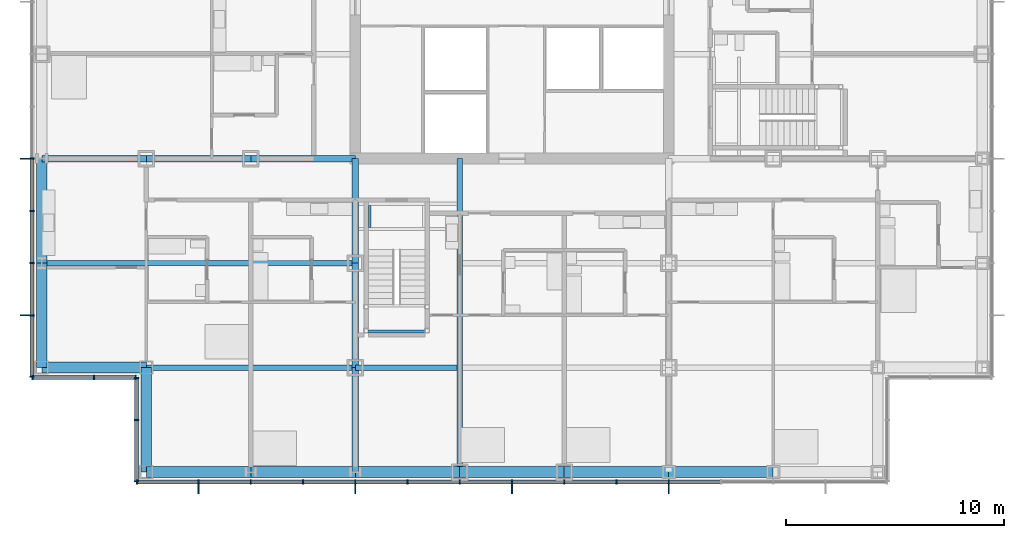
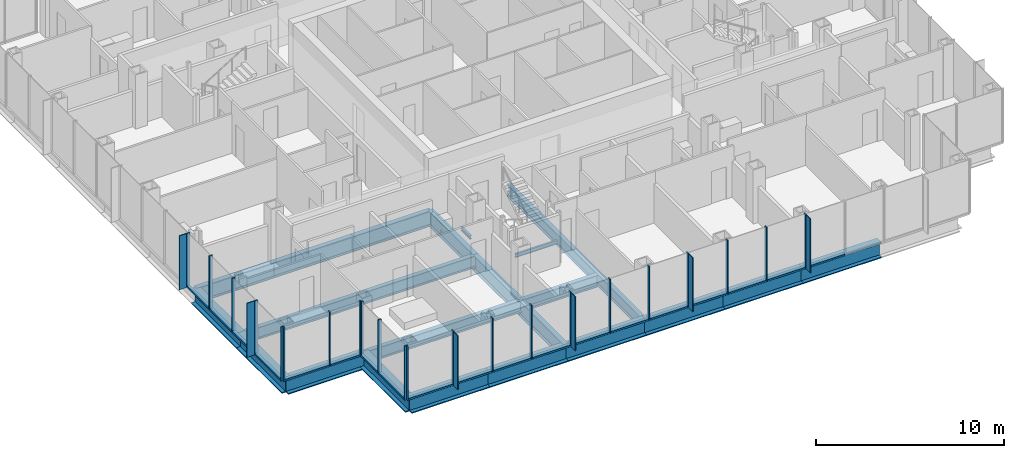
# One storey, part 6 of 21: 47 members, 22 beams, 4 elements without a shape of their own.
"""IFC4 building model written with IfcOpenShell, lengths in metres."""

from ifc_helpers import new_model, si_unit, direction, frame, origin, origin_2d, place, context, subcontext, project, spatial, rectangle, i_section, extrude, material, material_profile, profile_set, type_object, element, aggregate, save


model = new_model("IFC4")

# Units and contexts
model_context = context("Model", 3, precision=1e-05, world=origin(), true_north=direction((0.0, 1.0)))
body_context = subcontext(model_context, "Body", "Model", "MODEL_VIEW")
ifc_project = project(units=[si_unit("LENGTHUNIT", "METRE"), si_unit("AREAUNIT", "SQUARE_METRE"), si_unit("VOLUMEUNIT", "CUBIC_METRE"), si_unit("PLANEANGLEUNIT", "RADIAN"), si_unit("MASSUNIT", "GRAM", prefix="KILO")], contexts=[model_context])

# Site, building, storey
site_placement = place(None, origin())
site = spatial("IfcSite", under=ifc_project, at=site_placement, CompositionType="ELEMENT")
building_placement = place(site_placement, origin())
building = spatial("IfcBuilding", under=site, at=building_placement, Name="Kvirike Care Tower", CompositionType="ELEMENT")
storey_placement = place(building_placement, frame((0.0, 0.0, 37.5)))
storey = spatial("IfcBuildingStorey", under=building, at=storey_placement, Name="L09", CompositionType="ELEMENT", Elevation=37.5)

# Curtain wall, members
ifc_material_1 = material(Name="Anodised aluminium stick system", Category="aluminium")
curtain_wall_type = type_object("IfcCurtainWallType", Name="CW-A STICK CURTAIN WALL", PredefinedType="NOTDEFINED", material=ifc_material_1)
curtain_wall_1_placement = place(storey_placement, origin())
curtain_wall_1 = element("IfcCurtainWall", 1, at=curtain_wall_1_placement, inside=storey, type_object=curtain_wall_type, Name="Curtain wall L09 face 1", PredefinedType="NOTDEFINED")
ifc_material_2 = material(Name="Bronze anodised aluminium fin", Category="aluminium")
ifc_material_profile_1 = material_profile(ifc_material_2, rectangle(XDim=0.050048828125, YDim=0.449951171875, at=origin_2d()), Name="BRONZE FIN 450")
ifc_profile_set_1 = profile_set([ifc_material_profile_1], Name="Bronze anodised aluminium fin")
member_type_1 = type_object("IfcMemberType", Name="BRONZE FIN 450", PredefinedType="USERDEFINED", material=ifc_profile_set_1)
member_1_placement = place(storey_placement, frame((-0.77490234375, 28.800048828125, 0.0), z_axis=(0.0, 0.0, 1.0), x_axis=(0.0, -1.0, 0.0)))
member_1 = element("IfcMember", 2, at=member_1_placement, type_object=member_type_1, Name="Bronze fin L09 face 1.11", ObjectType="FIN", PredefinedType="USERDEFINED", context=body_context, shape_type="SweptSolid", body=[
    extrude(rectangle(XDim=0.050048828125, YDim=0.449951171875, at=origin_2d()), origin(), (0.0, 0.0, 1.0), 3.5),
])
member_2_placement = place(storey_placement, frame((-0.77490234375, 21.60009765625, 0.0), z_axis=(0.0, 0.0, 1.0), x_axis=(0.0, -1.0, 0.0)))
member_2 = element("IfcMember", 3, at=member_2_placement, type_object=member_type_1, Name="Bronze fin L09 face 1.14", ObjectType="FIN", PredefinedType="USERDEFINED", context=body_context, shape_type="SweptSolid", body=[
    extrude(rectangle(XDim=0.050048828125, YDim=0.449951171875, at=origin_2d()), origin(), (0.0, 0.0, 1.0), 3.5),
])

curtain_wall_2_placement = place(storey_placement, origin())
curtain_wall_2 = element("IfcCurtainWall", 4, at=curtain_wall_2_placement, inside=storey, type_object=curtain_wall_type, Name="Curtain wall L09 face 4", PredefinedType="NOTDEFINED")
member_3_placement = place(storey_placement, frame((7.199951171875, 13.625, 0.0), z_axis=(0.0, 0.0, 1.0), x_axis=(1.0, 0.0, 0.0)))
member_3 = element("IfcMember", 5, at=member_3_placement, type_object=member_type_1, Name="Bronze fin L09 face 4.2", ObjectType="FIN", PredefinedType="USERDEFINED", context=body_context, shape_type="SweptSolid", body=[
    extrude(rectangle(XDim=0.050048828125, YDim=0.449951171875, at=origin_2d()), origin(), (0.0, 0.0, 1.0), 3.5),
])
member_4_placement = place(storey_placement, frame((14.39990234375, 13.625, 0.0), z_axis=(0.0, 0.0, 1.0), x_axis=(1.0, 0.0, 0.0)))
member_4 = element("IfcMember", 6, at=member_4_placement, type_object=member_type_1, Name="Bronze fin L09 face 4.5", ObjectType="FIN", PredefinedType="USERDEFINED", context=body_context, shape_type="SweptSolid", body=[
    extrude(rectangle(XDim=0.050048828125, YDim=0.449951171875, at=origin_2d()), origin(), (0.0, 0.0, 1.0), 3.5),
])
member_5_placement = place(storey_placement, frame((21.60009765625, 13.625, 0.0), z_axis=(0.0, 0.0, 1.0), x_axis=(1.0, 0.0, 0.0)))
member_5 = element("IfcMember", 7, at=member_5_placement, type_object=member_type_1, Name="Bronze fin L09 face 4.8", ObjectType="FIN", PredefinedType="USERDEFINED", context=body_context, shape_type="SweptSolid", body=[
    extrude(rectangle(XDim=0.050048828125, YDim=0.449951171875, at=origin_2d()), origin(), (0.0, 0.0, 1.0), 3.5),
])
member_6_placement = place(storey_placement, frame((28.800048828125, 13.625, 0.0), z_axis=(0.0, 0.0, 1.0), x_axis=(1.0, 0.0, 0.0)))
member_6 = element("IfcMember", 8, at=member_6_placement, type_object=member_type_1, Name="Bronze fin L09 face 4.11", ObjectType="FIN", PredefinedType="USERDEFINED", context=body_context, shape_type="SweptSolid", body=[
    extrude(rectangle(XDim=0.050048828125, YDim=0.449951171875, at=origin_2d()), origin(), (0.0, 0.0, 1.0), 3.5),
])

# Member
ifc_material_3 = material(Name="Bronze anodised aluminium mullion", Category="aluminium")
ifc_material_profile_2 = material_profile(ifc_material_3, rectangle(XDim=0.06494140625, YDim=0.199951171875, at=origin_2d()), Name="CW-A MULLION 65x200")
ifc_profile_set_2 = profile_set([ifc_material_profile_2], Name="Bronze anodised aluminium mullion")
member_type_2 = type_object("IfcMemberType", Name="CW-A MULLION 65x200", PredefinedType="MULLION", material=ifc_profile_set_2)
member_7_placement = place(storey_placement, frame((-0.449951171875, 28.800048828125, 0.0), z_axis=(0.0, 0.0, 1.0), x_axis=(0.0, -1.0, 0.0)))
member_7 = element("IfcMember", 9, at=member_7_placement, type_object=member_type_2, Name="CW-A mullion L09 face 1.11", PredefinedType="MULLION", context=body_context, shape_type="SweptSolid", body=[
    extrude(rectangle(XDim=0.06494140625, YDim=0.199951171875, at=origin_2d()), origin(), (0.0, 0.0, 1.0), 3.5),
])

member_8_placement = place(storey_placement, frame((-0.449951171875, 26.39990234375, 0.0), z_axis=(0.0, 0.0, 1.0), x_axis=(0.0, -1.0, 0.0)))
member_8 = element("IfcMember", 10, at=member_8_placement, type_object=member_type_2, Name="CW-A mullion L09 face 1.12", PredefinedType="MULLION", context=body_context, shape_type="SweptSolid", body=[
    extrude(rectangle(XDim=0.06494140625, YDim=0.199951171875, at=origin_2d()), origin(), (0.0, 0.0, 1.0), 3.5),
])

member_9_placement = place(storey_placement, frame((-0.449951171875, 24.0, 0.0), z_axis=(0.0, 0.0, 1.0), x_axis=(0.0, -1.0, 0.0)))
member_9 = element("IfcMember", 11, at=member_9_placement, type_object=member_type_2, Name="CW-A mullion L09 face 1.13", PredefinedType="MULLION", context=body_context, shape_type="SweptSolid", body=[
    extrude(rectangle(XDim=0.06494140625, YDim=0.199951171875, at=origin_2d()), origin(), (0.0, 0.0, 1.0), 3.5),
])

member_10_placement = place(storey_placement, frame((-0.449951171875, 21.60009765625, 0.0), z_axis=(0.0, 0.0, 1.0), x_axis=(0.0, -1.0, 0.0)))
member_10 = element("IfcMember", 12, at=member_10_placement, type_object=member_type_2, Name="CW-A mullion L09 face 1.14", PredefinedType="MULLION", context=body_context, shape_type="SweptSolid", body=[
    extrude(rectangle(XDim=0.06494140625, YDim=0.199951171875, at=origin_2d()), origin(), (0.0, 0.0, 1.0), 3.5),
])

member_11_placement = place(storey_placement, frame((-0.449951171875, 18.782470703125, 0.0), z_axis=(0.0, 0.0, 1.0), x_axis=(0.0, -1.0, 0.0)))
member_11 = element("IfcMember", 13, at=member_11_placement, type_object=member_type_2, Name="CW-A mullion L09 face 1.15", PredefinedType="MULLION", context=body_context, shape_type="SweptSolid", body=[
    extrude(rectangle(XDim=0.06494140625, YDim=0.199951171875, at=origin_2d()), origin(), (0.0, 0.0, 1.0), 3.5),
])

# Curtain wall, members
curtain_wall_3_placement = place(storey_placement, origin())
curtain_wall_3 = element("IfcCurtainWall", 14, at=curtain_wall_3_placement, inside=storey, type_object=curtain_wall_type, Name="Curtain wall L09 face 2", PredefinedType="NOTDEFINED")
member_12_placement = place(storey_placement, frame((-0.41748046875, 18.75, 0.0), z_axis=(0.0, 0.0, 1.0), x_axis=(1.0, 0.0, 0.0)))
member_12 = element("IfcMember", 15, at=member_12_placement, type_object=member_type_2, Name="CW-A mullion L09 face 2.1", PredefinedType="MULLION", context=body_context, shape_type="SweptSolid", body=[
    extrude(rectangle(XDim=0.06494140625, YDim=0.199951171875, at=origin_2d()), origin(), (0.0, 0.0, 1.0), 3.5),
])
member_13_placement = place(storey_placement, frame((2.39990234375, 18.75, 0.0), z_axis=(0.0, 0.0, 1.0), x_axis=(1.0, 0.0, 0.0)))
member_13 = element("IfcMember", 16, at=member_13_placement, type_object=member_type_2, Name="CW-A mullion L09 face 2.2", PredefinedType="MULLION", context=body_context, shape_type="SweptSolid", body=[
    extrude(rectangle(XDim=0.06494140625, YDim=0.199951171875, at=origin_2d()), origin(), (0.0, 0.0, 1.0), 3.5),
])
member_14_placement = place(storey_placement, frame((4.3173828125, 18.75, 0.0), z_axis=(0.0, 0.0, 1.0), x_axis=(1.0, 0.0, 0.0)))
member_14 = element("IfcMember", 17, at=member_14_placement, type_object=member_type_2, Name="CW-A mullion L09 face 2.3", PredefinedType="MULLION", context=body_context, shape_type="SweptSolid", body=[
    extrude(rectangle(XDim=0.06494140625, YDim=0.199951171875, at=origin_2d()), origin(), (0.0, 0.0, 1.0), 3.5),
])

curtain_wall_4_placement = place(storey_placement, origin())
curtain_wall_4 = element("IfcCurtainWall", 18, at=curtain_wall_4_placement, inside=storey, type_object=curtain_wall_type, Name="Curtain wall L09 face 3", PredefinedType="NOTDEFINED")
member_15_placement = place(storey_placement, frame((4.35009765625, 18.717529296875, 0.0), z_axis=(0.0, 0.0, 1.0), x_axis=(0.0, -1.0, 0.0)))
member_15 = element("IfcMember", 19, at=member_15_placement, type_object=member_type_2, Name="CW-A mullion L09 face 3.1", PredefinedType="MULLION", context=body_context, shape_type="SweptSolid", body=[
    extrude(rectangle(XDim=0.06494140625, YDim=0.199951171875, at=origin_2d()), origin(), (0.0, 0.0, 1.0), 3.5),
])
member_16_placement = place(storey_placement, frame((4.35009765625, 16.800048828125, 0.0), z_axis=(0.0, 0.0, 1.0), x_axis=(0.0, -1.0, 0.0)))
member_16 = element("IfcMember", 20, at=member_16_placement, type_object=member_type_2, Name="CW-A mullion L09 face 3.2", PredefinedType="MULLION", context=body_context, shape_type="SweptSolid", body=[
    extrude(rectangle(XDim=0.06494140625, YDim=0.199951171875, at=origin_2d()), origin(), (0.0, 0.0, 1.0), 3.5),
])
member_17_placement = place(storey_placement, frame((4.35009765625, 13.982421875, 0.0), z_axis=(0.0, 0.0, 1.0), x_axis=(0.0, -1.0, 0.0)))
member_17 = element("IfcMember", 21, at=member_17_placement, type_object=member_type_2, Name="CW-A mullion L09 face 3.3", PredefinedType="MULLION", context=body_context, shape_type="SweptSolid", body=[
    extrude(rectangle(XDim=0.06494140625, YDim=0.199951171875, at=origin_2d()), origin(), (0.0, 0.0, 1.0), 3.5),
])

# Member
member_18_placement = place(storey_placement, frame((4.382568359375, 13.949951171875, 0.0), z_axis=(0.0, 0.0, 1.0), x_axis=(1.0, 0.0, 0.0)))
member_18 = element("IfcMember", 22, at=member_18_placement, type_object=member_type_2, Name="CW-A mullion L09 face 4.1", PredefinedType="MULLION", context=body_context, shape_type="SweptSolid", body=[
    extrude(rectangle(XDim=0.06494140625, YDim=0.199951171875, at=origin_2d()), origin(), (0.0, 0.0, 1.0), 3.5),
])

member_19_placement = place(storey_placement, frame((7.199951171875, 13.949951171875, 0.0), z_axis=(0.0, 0.0, 1.0), x_axis=(1.0, 0.0, 0.0)))
member_19 = element("IfcMember", 23, at=member_19_placement, type_object=member_type_2, Name="CW-A mullion L09 face 4.2", PredefinedType="MULLION", context=body_context, shape_type="SweptSolid", body=[
    extrude(rectangle(XDim=0.06494140625, YDim=0.199951171875, at=origin_2d()), origin(), (0.0, 0.0, 1.0), 3.5),
])

member_20_placement = place(storey_placement, frame((9.60009765625, 13.949951171875, 0.0), z_axis=(0.0, 0.0, 1.0), x_axis=(1.0, 0.0, 0.0)))
member_20 = element("IfcMember", 24, at=member_20_placement, type_object=member_type_2, Name="CW-A mullion L09 face 4.3", PredefinedType="MULLION", context=body_context, shape_type="SweptSolid", body=[
    extrude(rectangle(XDim=0.06494140625, YDim=0.199951171875, at=origin_2d()), origin(), (0.0, 0.0, 1.0), 3.5),
])

member_21_placement = place(storey_placement, frame((12.0, 13.949951171875, 0.0), z_axis=(0.0, 0.0, 1.0), x_axis=(1.0, 0.0, 0.0)))
member_21 = element("IfcMember", 25, at=member_21_placement, type_object=member_type_2, Name="CW-A mullion L09 face 4.4", PredefinedType="MULLION", context=body_context, shape_type="SweptSolid", body=[
    extrude(rectangle(XDim=0.06494140625, YDim=0.199951171875, at=origin_2d()), origin(), (0.0, 0.0, 1.0), 3.5),
])

member_22_placement = place(storey_placement, frame((14.39990234375, 13.949951171875, 0.0), z_axis=(0.0, 0.0, 1.0), x_axis=(1.0, 0.0, 0.0)))
member_22 = element("IfcMember", 26, at=member_22_placement, type_object=member_type_2, Name="CW-A mullion L09 face 4.5", PredefinedType="MULLION", context=body_context, shape_type="SweptSolid", body=[
    extrude(rectangle(XDim=0.06494140625, YDim=0.199951171875, at=origin_2d()), origin(), (0.0, 0.0, 1.0), 3.5),
])

member_23_placement = place(storey_placement, frame((16.800048828125, 13.949951171875, 0.0), z_axis=(0.0, 0.0, 1.0), x_axis=(1.0, 0.0, 0.0)))
member_23 = element("IfcMember", 27, at=member_23_placement, type_object=member_type_2, Name="CW-A mullion L09 face 4.6", PredefinedType="MULLION", context=body_context, shape_type="SweptSolid", body=[
    extrude(rectangle(XDim=0.06494140625, YDim=0.199951171875, at=origin_2d()), origin(), (0.0, 0.0, 1.0), 3.5),
])

member_24_placement = place(storey_placement, frame((19.199951171875, 13.949951171875, 0.0), z_axis=(0.0, 0.0, 1.0), x_axis=(1.0, 0.0, 0.0)))
member_24 = element("IfcMember", 28, at=member_24_placement, type_object=member_type_2, Name="CW-A mullion L09 face 4.7", PredefinedType="MULLION", context=body_context, shape_type="SweptSolid", body=[
    extrude(rectangle(XDim=0.06494140625, YDim=0.199951171875, at=origin_2d()), origin(), (0.0, 0.0, 1.0), 3.5),
])

member_25_placement = place(storey_placement, frame((21.60009765625, 13.949951171875, 0.0), z_axis=(0.0, 0.0, 1.0), x_axis=(1.0, 0.0, 0.0)))
member_25 = element("IfcMember", 29, at=member_25_placement, type_object=member_type_2, Name="CW-A mullion L09 face 4.8", PredefinedType="MULLION", context=body_context, shape_type="SweptSolid", body=[
    extrude(rectangle(XDim=0.06494140625, YDim=0.199951171875, at=origin_2d()), origin(), (0.0, 0.0, 1.0), 3.5),
])

member_26_placement = place(storey_placement, frame((24.0, 13.949951171875, 0.0), z_axis=(0.0, 0.0, 1.0), x_axis=(1.0, 0.0, 0.0)))
member_26 = element("IfcMember", 30, at=member_26_placement, type_object=member_type_2, Name="CW-A mullion L09 face 4.9", PredefinedType="MULLION", context=body_context, shape_type="SweptSolid", body=[
    extrude(rectangle(XDim=0.06494140625, YDim=0.199951171875, at=origin_2d()), origin(), (0.0, 0.0, 1.0), 3.5),
])

member_27_placement = place(storey_placement, frame((26.39990234375, 13.949951171875, 0.0), z_axis=(0.0, 0.0, 1.0), x_axis=(1.0, 0.0, 0.0)))
member_27 = element("IfcMember", 31, at=member_27_placement, type_object=member_type_2, Name="CW-A mullion L09 face 4.10", PredefinedType="MULLION", context=body_context, shape_type="SweptSolid", body=[
    extrude(rectangle(XDim=0.06494140625, YDim=0.199951171875, at=origin_2d()), origin(), (0.0, 0.0, 1.0), 3.5),
])

member_28_placement = place(storey_placement, frame((28.800048828125, 13.949951171875, 0.0), z_axis=(0.0, 0.0, 1.0), x_axis=(1.0, 0.0, 0.0)))
member_28 = element("IfcMember", 32, at=member_28_placement, type_object=member_type_2, Name="CW-A mullion L09 face 4.11", PredefinedType="MULLION", context=body_context, shape_type="SweptSolid", body=[
    extrude(rectangle(XDim=0.06494140625, YDim=0.199951171875, at=origin_2d()), origin(), (0.0, 0.0, 1.0), 3.5),
])

ifc_material_4 = material(Name="Bronze anodised aluminium transom", Category="aluminium")
ifc_material_profile_3 = material_profile(ifc_material_4, rectangle(XDim=0.199951171875, YDim=0.10009765625, at=origin_2d()), Name="CW-A TRANSOM 200x100")
ifc_profile_set_3 = profile_set([ifc_material_profile_3], Name="Bronze anodised aluminium transom")
member_type_3 = type_object("IfcMemberType", Name="CW-A TRANSOM 200x100", PredefinedType="USERDEFINED", material=ifc_profile_set_3)
member_29_placement = place(storey_placement, frame((-0.449951171875, 28.767578125, 0.050048828125), z_axis=(0.0, -1.0, 0.0), x_axis=(1.0, 0.0, 0.0)))
member_29 = element("IfcMember", 33, at=member_29_placement, type_object=member_type_3, Name="CW-A sill transom L09 face 1.11", ObjectType="TRANSOM", PredefinedType="USERDEFINED", context=body_context, shape_type="SweptSolid", body=[
    extrude(rectangle(XDim=0.199951171875, YDim=0.10009765625, at=origin_2d()), origin(), (0.0, 0.0, 1.0), 2.3349609375),
])

member_30_placement = place(storey_placement, frame((-0.449951171875, 26.367431640625, 0.050048828125), z_axis=(0.0, -1.0, 0.0), x_axis=(1.0, 0.0, 0.0)))
member_30 = element("IfcMember", 34, at=member_30_placement, type_object=member_type_3, Name="CW-A sill transom L09 face 1.12", ObjectType="TRANSOM", PredefinedType="USERDEFINED", context=body_context, shape_type="SweptSolid", body=[
    extrude(rectangle(XDim=0.199951171875, YDim=0.10009765625, at=origin_2d()), origin(), (0.0, 0.0, 1.0), 2.3349609375),
])

member_31_placement = place(storey_placement, frame((-0.449951171875, 23.967529296875, 0.050048828125), z_axis=(0.0, -1.0, 0.0), x_axis=(1.0, 0.0, 0.0)))
member_31 = element("IfcMember", 35, at=member_31_placement, type_object=member_type_3, Name="CW-A sill transom L09 face 1.13", ObjectType="TRANSOM", PredefinedType="USERDEFINED", context=body_context, shape_type="SweptSolid", body=[
    extrude(rectangle(XDim=0.199951171875, YDim=0.10009765625, at=origin_2d()), origin(), (0.0, 0.0, 1.0), 2.3349609375),
])

member_32_placement = place(storey_placement, frame((-0.449951171875, 21.5673828125, 0.050048828125), z_axis=(0.0, -1.0, 0.0), x_axis=(1.0, 0.0, 0.0)))
member_32 = element("IfcMember", 36, at=member_32_placement, type_object=member_type_3, Name="CW-A sill transom L09 face 1.14", ObjectType="TRANSOM", PredefinedType="USERDEFINED", context=body_context, shape_type="SweptSolid", body=[
    extrude(rectangle(XDim=0.199951171875, YDim=0.10009765625, at=origin_2d()), origin(), (0.0, 0.0, 1.0), 2.75244140625),
])

aggregate(curtain_wall_1, [member_7, member_1, member_8, member_9, member_10, member_2, member_11, member_29, member_30, member_31, member_32])

member_33_placement = place(storey_placement, frame((-0.385009765625, 18.75, 0.050048828125), z_axis=(1.0, 0.0, 0.0), x_axis=(0.0, 1.0, 0.0)))
member_33 = element("IfcMember", 37, at=member_33_placement, type_object=member_type_3, Name="CW-A sill transom L09 face 2.1", ObjectType="TRANSOM", PredefinedType="USERDEFINED", context=body_context, shape_type="SweptSolid", body=[
    extrude(rectangle(XDim=0.199951171875, YDim=0.10009765625, at=origin_2d()), origin(), (0.0, 0.0, 1.0), 2.75244140625),
])

member_34_placement = place(storey_placement, frame((2.4326171875, 18.75, 0.050048828125), z_axis=(1.0, 0.0, 0.0), x_axis=(0.0, 1.0, 0.0)))
member_34 = element("IfcMember", 38, at=member_34_placement, type_object=member_type_3, Name="CW-A sill transom L09 face 2.2", ObjectType="TRANSOM", PredefinedType="USERDEFINED", context=body_context, shape_type="SweptSolid", body=[
    extrude(rectangle(XDim=0.199951171875, YDim=0.10009765625, at=origin_2d()), origin(), (0.0, 0.0, 1.0), 1.852294921875),
])

aggregate(curtain_wall_3, [member_12, member_13, member_14, member_33, member_34])

member_35_placement = place(storey_placement, frame((4.35009765625, 18.68505859375, 0.050048828125), z_axis=(0.0, -1.0, 0.0), x_axis=(1.0, 0.0, 0.0)))
member_35 = element("IfcMember", 39, at=member_35_placement, type_object=member_type_3, Name="CW-A sill transom L09 face 3.1", ObjectType="TRANSOM", PredefinedType="USERDEFINED", context=body_context, shape_type="SweptSolid", body=[
    extrude(rectangle(XDim=0.199951171875, YDim=0.10009765625, at=origin_2d()), origin(), (0.0, 0.0, 1.0), 1.8525390625),
])

member_36_placement = place(storey_placement, frame((4.35009765625, 16.767578125, 0.050048828125), z_axis=(0.0, -1.0, 0.0), x_axis=(1.0, 0.0, 0.0)))
member_36 = element("IfcMember", 40, at=member_36_placement, type_object=member_type_3, Name="CW-A sill transom L09 face 3.2", ObjectType="TRANSOM", PredefinedType="USERDEFINED", context=body_context, shape_type="SweptSolid", body=[
    extrude(rectangle(XDim=0.199951171875, YDim=0.10009765625, at=origin_2d()), origin(), (0.0, 0.0, 1.0), 2.752685546875),
])

aggregate(curtain_wall_4, [member_15, member_16, member_17, member_35, member_36])

member_37_placement = place(storey_placement, frame((4.4150390625, 13.949951171875, 0.050048828125), z_axis=(1.0, 0.0, 0.0), x_axis=(0.0, 1.0, 0.0)))
member_37 = element("IfcMember", 41, at=member_37_placement, type_object=member_type_3, Name="CW-A sill transom L09 face 4.1", ObjectType="TRANSOM", PredefinedType="USERDEFINED", context=body_context, shape_type="SweptSolid", body=[
    extrude(rectangle(XDim=0.199951171875, YDim=0.10009765625, at=origin_2d()), origin(), (0.0, 0.0, 1.0), 2.75244140625),
])

member_38_placement = place(storey_placement, frame((7.232421875, 13.949951171875, 0.050048828125), z_axis=(1.0, 0.0, 0.0), x_axis=(0.0, 1.0, 0.0)))
member_38 = element("IfcMember", 42, at=member_38_placement, type_object=member_type_3, Name="CW-A sill transom L09 face 4.2", ObjectType="TRANSOM", PredefinedType="USERDEFINED", context=body_context, shape_type="SweptSolid", body=[
    extrude(rectangle(XDim=0.199951171875, YDim=0.10009765625, at=origin_2d()), origin(), (0.0, 0.0, 1.0), 2.3349609375),
])

member_39_placement = place(storey_placement, frame((9.632568359375, 13.949951171875, 0.050048828125), z_axis=(1.0, 0.0, 0.0), x_axis=(0.0, 1.0, 0.0)))
member_39 = element("IfcMember", 43, at=member_39_placement, type_object=member_type_3, Name="CW-A sill transom L09 face 4.3", ObjectType="TRANSOM", PredefinedType="USERDEFINED", context=body_context, shape_type="SweptSolid", body=[
    extrude(rectangle(XDim=0.199951171875, YDim=0.10009765625, at=origin_2d()), origin(), (0.0, 0.0, 1.0), 2.3349609375),
])

member_40_placement = place(storey_placement, frame((12.032470703125, 13.949951171875, 0.050048828125), z_axis=(1.0, 0.0, 0.0), x_axis=(0.0, 1.0, 0.0)))
member_40 = element("IfcMember", 44, at=member_40_placement, type_object=member_type_3, Name="CW-A sill transom L09 face 4.4", ObjectType="TRANSOM", PredefinedType="USERDEFINED", context=body_context, shape_type="SweptSolid", body=[
    extrude(rectangle(XDim=0.199951171875, YDim=0.10009765625, at=origin_2d()), origin(), (0.0, 0.0, 1.0), 2.3349609375),
])

member_41_placement = place(storey_placement, frame((14.4326171875, 13.949951171875, 0.050048828125), z_axis=(1.0, 0.0, 0.0), x_axis=(0.0, 1.0, 0.0)))
member_41 = element("IfcMember", 45, at=member_41_placement, type_object=member_type_3, Name="CW-A sill transom L09 face 4.5", ObjectType="TRANSOM", PredefinedType="USERDEFINED", context=body_context, shape_type="SweptSolid", body=[
    extrude(rectangle(XDim=0.199951171875, YDim=0.10009765625, at=origin_2d()), origin(), (0.0, 0.0, 1.0), 2.3349609375),
])

member_42_placement = place(storey_placement, frame((16.83251953125, 13.949951171875, 0.050048828125), z_axis=(1.0, 0.0, 0.0), x_axis=(0.0, 1.0, 0.0)))
member_42 = element("IfcMember", 46, at=member_42_placement, type_object=member_type_3, Name="CW-A sill transom L09 face 4.6", ObjectType="TRANSOM", PredefinedType="USERDEFINED", context=body_context, shape_type="SweptSolid", body=[
    extrude(rectangle(XDim=0.199951171875, YDim=0.10009765625, at=origin_2d()), origin(), (0.0, 0.0, 1.0), 2.3349609375),
])

member_43_placement = place(storey_placement, frame((19.232421875, 13.949951171875, 0.050048828125), z_axis=(1.0, 0.0, 0.0), x_axis=(0.0, 1.0, 0.0)))
member_43 = element("IfcMember", 47, at=member_43_placement, type_object=member_type_3, Name="CW-A sill transom L09 face 4.7", ObjectType="TRANSOM", PredefinedType="USERDEFINED", context=body_context, shape_type="SweptSolid", body=[
    extrude(rectangle(XDim=0.199951171875, YDim=0.10009765625, at=origin_2d()), origin(), (0.0, 0.0, 1.0), 2.3349609375),
])

member_44_placement = place(storey_placement, frame((21.632568359375, 13.949951171875, 0.050048828125), z_axis=(1.0, 0.0, 0.0), x_axis=(0.0, 1.0, 0.0)))
member_44 = element("IfcMember", 48, at=member_44_placement, type_object=member_type_3, Name="CW-A sill transom L09 face 4.8", ObjectType="TRANSOM", PredefinedType="USERDEFINED", context=body_context, shape_type="SweptSolid", body=[
    extrude(rectangle(XDim=0.199951171875, YDim=0.10009765625, at=origin_2d()), origin(), (0.0, 0.0, 1.0), 2.3349609375),
])

member_45_placement = place(storey_placement, frame((24.032470703125, 13.949951171875, 0.050048828125), z_axis=(1.0, 0.0, 0.0), x_axis=(0.0, 1.0, 0.0)))
member_45 = element("IfcMember", 49, at=member_45_placement, type_object=member_type_3, Name="CW-A sill transom L09 face 4.9", ObjectType="TRANSOM", PredefinedType="USERDEFINED", context=body_context, shape_type="SweptSolid", body=[
    extrude(rectangle(XDim=0.199951171875, YDim=0.10009765625, at=origin_2d()), origin(), (0.0, 0.0, 1.0), 2.3349609375),
])

member_46_placement = place(storey_placement, frame((26.4326171875, 13.949951171875, 0.050048828125), z_axis=(1.0, 0.0, 0.0), x_axis=(0.0, 1.0, 0.0)))
member_46 = element("IfcMember", 50, at=member_46_placement, type_object=member_type_3, Name="CW-A sill transom L09 face 4.10", ObjectType="TRANSOM", PredefinedType="USERDEFINED", context=body_context, shape_type="SweptSolid", body=[
    extrude(rectangle(XDim=0.199951171875, YDim=0.10009765625, at=origin_2d()), origin(), (0.0, 0.0, 1.0), 2.3349609375),
])

member_47_placement = place(storey_placement, frame((28.83251953125, 13.949951171875, 0.050048828125), z_axis=(1.0, 0.0, 0.0), x_axis=(0.0, 1.0, 0.0)))
member_47 = element("IfcMember", 51, at=member_47_placement, type_object=member_type_3, Name="CW-A sill transom L09 face 4.11", ObjectType="TRANSOM", PredefinedType="USERDEFINED", context=body_context, shape_type="SweptSolid", body=[
    extrude(rectangle(XDim=0.199951171875, YDim=0.10009765625, at=origin_2d()), origin(), (0.0, 0.0, 1.0), 2.3349609375),
])

aggregate(curtain_wall_2, [member_18, member_19, member_3, member_20, member_21, member_22, member_4, member_23, member_24, member_25, member_5, member_26, member_27, member_28, member_6, member_37, member_38, member_39, member_40, member_41, member_42, member_43, member_44, member_45, member_46, member_47])

# Beams
ifc_material_5 = material(Name="Steel S355", Category="steel")
ifc_material_profile_4 = material_profile(ifc_material_5, i_section(OverallWidth=0.26806640625, OverallDepth=0.77001953125, WebThickness=0.015625, FlangeThickness=0.025390625, FilletRadius=0.01708984375, at=origin_2d()), Name="IPE 750x196")
ifc_profile_set_4 = profile_set([ifc_material_profile_4], Name="Steel S355")
beam_type_1 = type_object("IfcBeamType", Name="FLOOR BEAM IPE 750x196", PredefinedType="BEAM", material=ifc_profile_set_4)
beam_1_placement = place(storey_placement, frame((4.800048828125, 19.199951171875, -0.554931640625), z_axis=(1.0, 0.0, 0.0), x_axis=(0.0, 1.0, 0.0)))
element("IfcBeam", 52, at=beam_1_placement, inside=storey, type_object=beam_type_1, Name="Floor Beam E4-E6 L09", PredefinedType="BEAM", context=body_context, shape_type="SweptSolid", body=[
    extrude(i_section(OverallWidth=0.26806640625, OverallDepth=0.77001953125, WebThickness=0.015625, FlangeThickness=0.025390625, FilletRadius=0.01708984375, at=origin_2d()), origin(), (0.0, 0.0, 1.0), 9.599853515625),
])
beam_2_placement = place(storey_placement, frame((14.39990234375, 19.199951171875, -0.554931640625), z_axis=(1.0, 0.0, 0.0), x_axis=(0.0, 1.0, 0.0)))
element("IfcBeam", 53, at=beam_2_placement, inside=storey, type_object=beam_type_1, Name="Floor Beam E6-E7 L09", PredefinedType="BEAM", context=body_context, shape_type="SweptSolid", body=[
    extrude(i_section(OverallWidth=0.26806640625, OverallDepth=0.77001953125, WebThickness=0.015625, FlangeThickness=0.025390625, FilletRadius=0.01708984375, at=origin_2d()), origin(), (0.0, 0.0, 1.0), 4.666015625),
])
beam_3_placement = place(storey_placement, frame((0.0, 24.0, -0.554931640625), z_axis=(1.0, 0.0, 0.0), x_axis=(0.0, 1.0, 0.0)))
element("IfcBeam", 54, at=beam_3_placement, inside=storey, type_object=beam_type_1, Name="Floor Beam F3-F6 L09", PredefinedType="BEAM", context=body_context, shape_type="SweptSolid", body=[
    extrude(i_section(OverallWidth=0.26806640625, OverallDepth=0.77001953125, WebThickness=0.015625, FlangeThickness=0.025390625, FilletRadius=0.01708984375, at=origin_2d()), origin(), (0.0, 0.0, 1.0), 14.39990234375),
])
beam_4_placement = place(storey_placement, frame((19.199951171875, 14.39990234375, -0.554931640625), z_axis=(0.0, 1.0, 0.0), x_axis=(-1.0, 0.0, 0.0)))
element("IfcBeam", 55, at=beam_4_placement, inside=storey, type_object=beam_type_1, Name="Floor Beam D7-G7 L09", PredefinedType="BEAM", context=body_context, shape_type="SweptSolid", body=[
    extrude(i_section(OverallWidth=0.26806640625, OverallDepth=0.77001953125, WebThickness=0.015625, FlangeThickness=0.025390625, FilletRadius=0.01708984375, at=origin_2d()), origin(), (0.0, 0.0, 1.0), 14.400146484375),
])
ifc_material_6 = material(Name="Steel S355", Category="steel")
ifc_material_profile_5 = material_profile(ifc_material_6, i_section(OverallWidth=0.300048828125, OverallDepth=1.0, WebThickness=0.01904296875, FlangeThickness=0.035888671875, FilletRadius=0.030029296875, at=origin_2d()), Name="HE 1000 B")
ifc_profile_set_5 = profile_set([ifc_material_profile_5], Name="Steel S355")
beam_type_2 = type_object("IfcBeamType", Name="FRAME BEAM HE 1000 B", PredefinedType="BEAM", material=ifc_profile_set_5)
for number, where, z_axis, x_axis, name in (
    (56, (0.0, 28.800048828125, -0.669921875), (1.0, 0.0, 0.0), (0.0, 1.0, 0.0), "Frame Beam G3-G4 L09"),
    (57, (4.800048828125, 28.800048828125, -0.669921875), (1.0, 0.0, 0.0), (0.0, 1.0, 0.0), "Frame Beam G4-G5 L09"),
):
    element("IfcBeam", number, at=place(storey_placement, frame(where, z_axis=z_axis, x_axis=x_axis)), inside=storey, type_object=beam_type_2, Name=name, PredefinedType="BEAM", context=body_context, shape_type="SweptSolid", body=[
        extrude(i_section(OverallWidth=0.300048828125, OverallDepth=1.0, WebThickness=0.01904296875, FlangeThickness=0.035888671875, FilletRadius=0.030029296875, at=origin_2d()), origin(), (0.0, 0.0, 1.0), 4.800048828125),
    ])
beam_5_placement = place(storey_placement, frame((9.60009765625, 28.800048828125, -0.669921875), z_axis=(1.0, 0.0, 0.0), x_axis=(0.0, 1.0, 0.0)))
element("IfcBeam", 58, at=beam_5_placement, inside=storey, type_object=beam_type_2, Name="Frame Beam G5-G6 L09", PredefinedType="BEAM", context=body_context, shape_type="SweptSolid", body=[
    extrude(i_section(OverallWidth=0.300048828125, OverallDepth=1.0, WebThickness=0.01904296875, FlangeThickness=0.035888671875, FilletRadius=0.030029296875, at=origin_2d()), origin(), (0.0, 0.0, 1.0), 4.7998046875),
])
for number, where, z_axis, x_axis, name in (
    (59, (14.39990234375, 14.39990234375, -0.669921875), (0.0, 1.0, 0.0), (-1.0, 0.0, 0.0), "Frame Beam D6-E6 L09"),
    (60, (14.39990234375, 19.199951171875, -0.669921875), (0.0, 1.0, 0.0), (-1.0, 0.0, 0.0), "Frame Beam E6-F6 L09"),
    (61, (14.39990234375, 24.0, -0.669921875), (0.0, 1.0, 0.0), (-1.0, 0.0, 0.0), "Frame Beam F6-G6 L09"),
):
    element("IfcBeam", number, at=place(storey_placement, frame(where, z_axis=z_axis, x_axis=x_axis)), inside=storey, type_object=beam_type_2, Name=name, PredefinedType="BEAM", context=body_context, shape_type="SweptSolid", body=[
        extrude(i_section(OverallWidth=0.300048828125, OverallDepth=1.0, WebThickness=0.01904296875, FlangeThickness=0.035888671875, FilletRadius=0.030029296875, at=origin_2d()), origin(), (0.0, 0.0, 1.0), 4.800048828125),
    ])
ifc_material_7 = material(Name="Steel S355", Category="steel")
ifc_material_profile_6 = material_profile(ifc_material_7, i_section(OverallWidth=0.5, OverallDepth=1.0, WebThickness=0.030029296875, FlangeThickness=0.06005859375, at=origin_2d()), Name="PG 1000x500x30x60")
ifc_profile_set_6 = profile_set([ifc_material_profile_6], Name="Steel S355")
beam_type_3 = type_object("IfcBeamType", Name="SPANDREL PG 1000x500x30x60", PredefinedType="SPANDREL", material=ifc_profile_set_6)
beam_6_placement = place(storey_placement, frame((4.800048828125, 14.39990234375, -0.669921875), z_axis=(1.0, 0.0, 0.0), x_axis=(0.0, 1.0, 0.0)))
element("IfcBeam", 62, at=beam_6_placement, inside=storey, type_object=beam_type_3, Name="Spandrel D4-D5 L09", PredefinedType="SPANDREL", context=body_context, shape_type="SweptSolid", body=[
    extrude(i_section(OverallWidth=0.5, OverallDepth=1.0, WebThickness=0.030029296875, FlangeThickness=0.06005859375, at=origin_2d()), origin(), (0.0, 0.0, 1.0), 4.800048828125),
])
beam_7_placement = place(storey_placement, frame((9.60009765625, 14.39990234375, -0.669921875), z_axis=(1.0, 0.0, 0.0), x_axis=(0.0, 1.0, 0.0)))
element("IfcBeam", 63, at=beam_7_placement, inside=storey, type_object=beam_type_3, Name="Spandrel D5-D6 L09", PredefinedType="SPANDREL", context=body_context, shape_type="SweptSolid", body=[
    extrude(i_section(OverallWidth=0.5, OverallDepth=1.0, WebThickness=0.030029296875, FlangeThickness=0.06005859375, at=origin_2d()), origin(), (0.0, 0.0, 1.0), 4.7998046875),
])
for number, where, z_axis, x_axis, name in (
    (64, (14.39990234375, 14.39990234375, -0.669921875), (1.0, 0.0, 0.0), (0.0, 1.0, 0.0), "Spandrel D6-D7 L09"),
    (65, (19.199951171875, 14.39990234375, -0.669921875), (1.0, 0.0, 0.0), (0.0, 1.0, 0.0), "Spandrel D7-D8 L09"),
    (66, (24.0, 14.39990234375, -0.669921875), (1.0, 0.0, 0.0), (0.0, 1.0, 0.0), "Spandrel D8-D9 L09"),
    (67, (28.800048828125, 14.39990234375, -0.669921875), (1.0, 0.0, 0.0), (0.0, 1.0, 0.0), "Spandrel D9-D10 L09"),
    (68, (0.0, 19.199951171875, -0.669921875), (1.0, 0.0, 0.0), (0.0, 1.0, 0.0), "Spandrel E3-E4 L09"),
    (69, (0.0, 19.199951171875, -0.669921875), (0.0, 1.0, 0.0), (-1.0, 0.0, 0.0), "Spandrel E3-F3 L09"),
    (70, (0.0, 24.0, -0.669921875), (0.0, 1.0, 0.0), (-1.0, 0.0, 0.0), "Spandrel F3-G3 L09"),
    (71, (4.800048828125, 14.39990234375, -0.669921875), (0.0, 1.0, 0.0), (-1.0, 0.0, 0.0), "Spandrel D4-E4 L09"),
):
    element("IfcBeam", number, at=place(storey_placement, frame(where, z_axis=z_axis, x_axis=x_axis)), inside=storey, type_object=beam_type_3, Name=name, PredefinedType="SPANDREL", context=body_context, shape_type="SweptSolid", body=[
        extrude(i_section(OverallWidth=0.5, OverallDepth=1.0, WebThickness=0.030029296875, FlangeThickness=0.06005859375, at=origin_2d()), origin(), (0.0, 0.0, 1.0), 4.800048828125),
    ])
ifc_material_8 = material(Name="Steel S355", Category="steel")
ifc_material_profile_7 = material_profile(ifc_material_8, i_section(OverallWidth=0.1201171875, OverallDepth=0.239990234375, WebThickness=0.006103515625, FlangeThickness=0.009765625, FilletRadius=0.014892578125, at=origin_2d()), Name="IPE 240")
ifc_profile_set_7 = profile_set([ifc_material_profile_7], Name="Steel S355")
beam_type_4 = type_object("IfcBeamType", Name="STAIR LANDING BEAM IPE 240", PredefinedType="BEAM", material=ifc_profile_set_7)
beam_8_placement = place(storey_placement, frame((15.0, 20.860107421875, 1.429931640625), z_axis=(1.0, 0.0, 0.0), x_axis=(0.0, 1.0, 0.0)))
element("IfcBeam", 72, at=beam_8_placement, inside=storey, type_object=beam_type_4, Name="Stair 5 landing beam back L09", PredefinedType="BEAM", context=body_context, shape_type="SweptSolid", body=[
    extrude(i_section(OverallWidth=0.1201171875, OverallDepth=0.239990234375, WebThickness=0.006103515625, FlangeThickness=0.009765625, FilletRadius=0.014892578125, at=origin_2d()), origin(), (0.0, 0.0, 1.0), 2.60009765625),
])
beam_9_placement = place(storey_placement, frame((15.06005859375, 25.64990234375, -0.320068359375), z_axis=(0.0, 1.0, 0.0), x_axis=(-1.0, 0.0, 0.0)))
element("IfcBeam", 73, at=beam_9_placement, inside=storey, type_object=beam_type_4, Name="Stair 5 landing edge beam 1 L09", PredefinedType="BEAM", context=body_context, shape_type="SweptSolid", body=[
    extrude(i_section(OverallWidth=0.1201171875, OverallDepth=0.239990234375, WebThickness=0.006103515625, FlangeThickness=0.009765625, FilletRadius=0.014892578125, at=origin_2d()), origin(), (0.0, 0.0, 1.0), 1.0),
])

save(model, "model.ifc")
